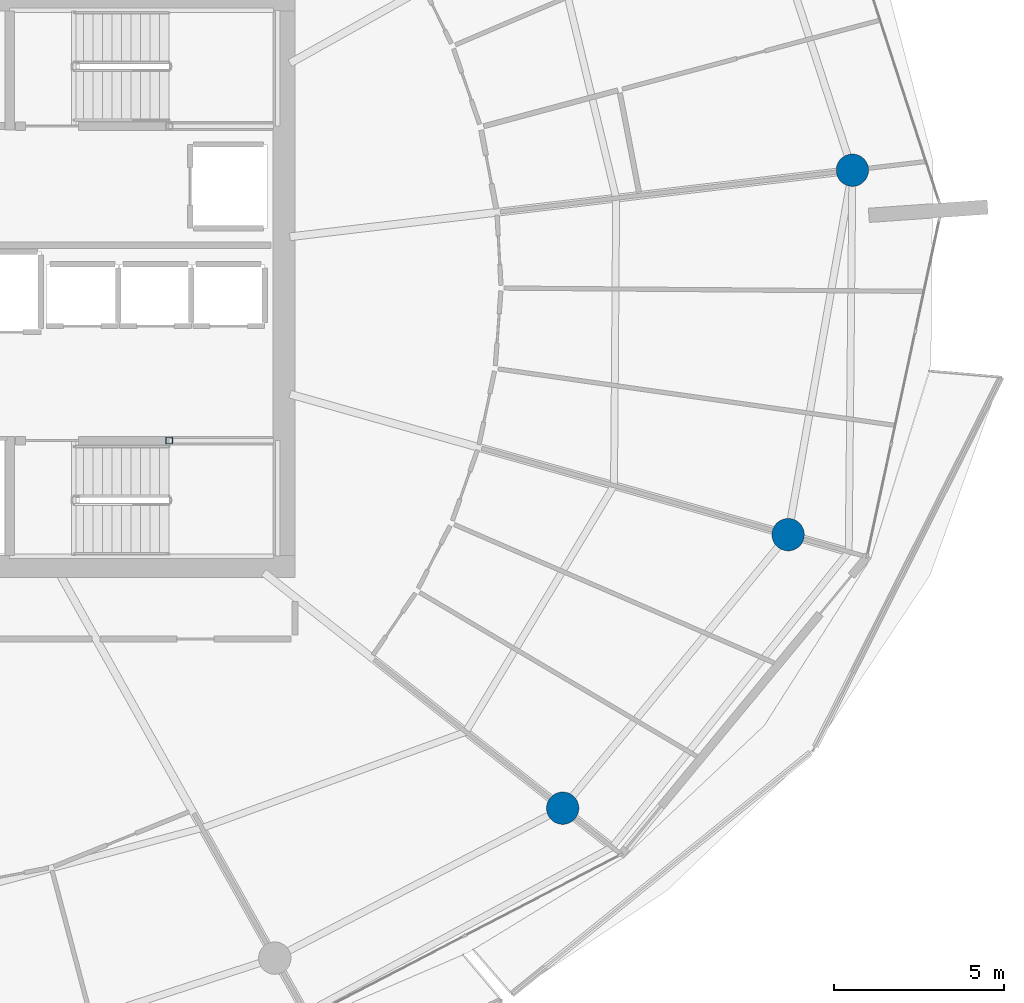
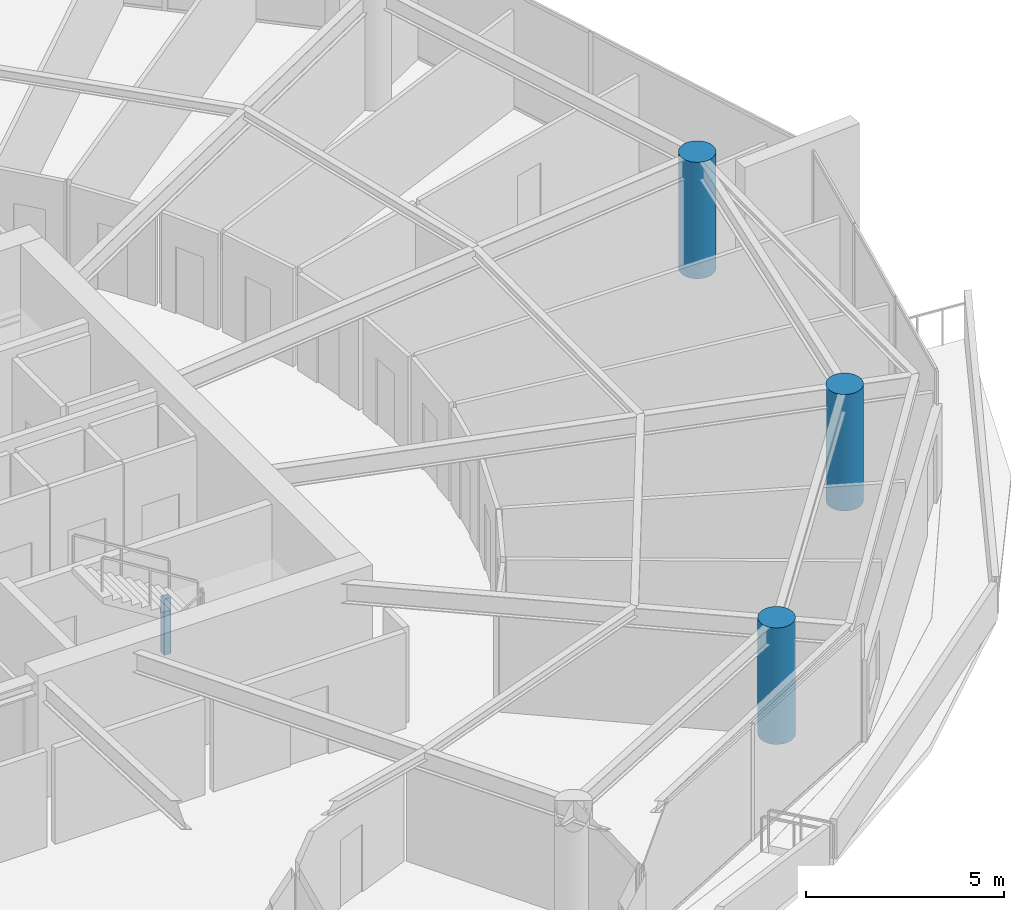
# One storey, part 3 of 30: 4 columns.
"""IFC4 building model written with IfcOpenShell, lengths in metres."""

from ifc_helpers import new_model, si_unit, direction, frame, origin, origin_2d, place, context, subcontext, project, spatial, hollow_rectangle, circle, extrude, material, material_profile, profile_set, type_object, element, save


model = new_model("IFC4")

# Units and contexts
model_context = context("Model", 3, precision=1e-05, world=origin(), true_north=direction((0.0, 1.0)))
body_context = subcontext(model_context, "Body", "Model", "MODEL_VIEW")
ifc_project = project(units=[si_unit("LENGTHUNIT", "METRE"), si_unit("AREAUNIT", "SQUARE_METRE"), si_unit("VOLUMEUNIT", "CUBIC_METRE"), si_unit("PLANEANGLEUNIT", "RADIAN"), si_unit("MASSUNIT", "GRAM", prefix="KILO")], contexts=[model_context])

# Site, building, storey
site_placement = place(None, origin())
site = spatial("IfcSite", under=ifc_project, at=site_placement, CompositionType="ELEMENT")
building_placement = place(site_placement, origin())
building = spatial("IfcBuilding", under=site, at=building_placement, Name="Kazma Halo Residences", CompositionType="ELEMENT")
storey_placement = place(building_placement, frame((0.0, 0.0, 267.5)))
storey = spatial("IfcBuildingStorey", under=building, at=storey_placement, Name="L67", CompositionType="ELEMENT", Elevation=267.5)

# Columns
ifc_material_1 = material(Name="Steel S355", Category="steel")
ifc_material_profile_1 = material_profile(ifc_material_1, hollow_rectangle(XDim=0.199951171875, YDim=0.199951171875, WallThickness=0.010009765625, InnerFilletRadius=0.010009765625, OuterFilletRadius=0.02001953125, at=origin_2d()), Name="SHS200x200x10")
ifc_profile_set_1 = profile_set([ifc_material_profile_1], Name="Steel S355")
column_type_1 = type_object("IfcColumnType", Name="COL-LP-SHS200", PredefinedType="COLUMN", material=ifc_profile_set_1)
column_placement = place(storey_placement, frame((56.0, 37.3798828125, 0.0), z_axis=(0.0, 0.0, 1.0), x_axis=(1.0, 0.0, 0.0)))
element("IfcColumn", 1, at=column_placement, inside=storey, type_object=column_type_1, Name="L67 ST-03 landing pilaster 1", PredefinedType="COLUMN", context=body_context, shape_type="SweptSolid", body=[
    extrude(hollow_rectangle(XDim=0.199951171875, YDim=0.199951171875, WallThickness=0.010009765625, InnerFilletRadius=0.010009765625, OuterFilletRadius=0.02001953125, at=origin_2d()), origin(), (0.0, 0.0, 1.0), 1.719970703125),
])
ifc_material_2 = material(Name="Concrete C60/75", Category="concrete")
ifc_material_profile_2 = material_profile(ifc_material_2, circle(Radius=0.47509765625, at=origin_2d()), Name="CIRC950")
ifc_profile_set_2 = profile_set([ifc_material_profile_2], Name="Concrete C60/75")
column_type_2 = type_object("IfcColumnType", Name="COL-PERIM-950", PredefinedType="COLUMN", material=ifc_profile_set_2)
for number, where, z_axis, x_axis, name in (
    (2, (67.566162109375, 26.5751953125, 0.0), (0.0, 0.0, 1.0), (1.0, 0.0, 0.0), "L67 perimeter ring column P14"),
    (3, (74.19091796875, 34.61328125, 0.0), (0.0, 0.0, 1.0), (1.0, 0.0, 0.0), "L67 perimeter ring column P15"),
    (4, (76.07958984375, 45.323486328125, 0.0), (0.0, 0.0, 1.0), (1.0, 0.0, 0.0), "L67 perimeter ring column P16"),
):
    element("IfcColumn", number, at=place(storey_placement, frame(where, z_axis=z_axis, x_axis=x_axis)), inside=storey, type_object=column_type_2, Name=name, PredefinedType="COLUMN", context=body_context, shape_type="SweptSolid", body=[
        extrude(circle(Radius=0.47509765625, at=origin_2d()), origin(), (0.0, 0.0, 1.0), 3.590087890625),
    ])

save(model, "model.ifc")
